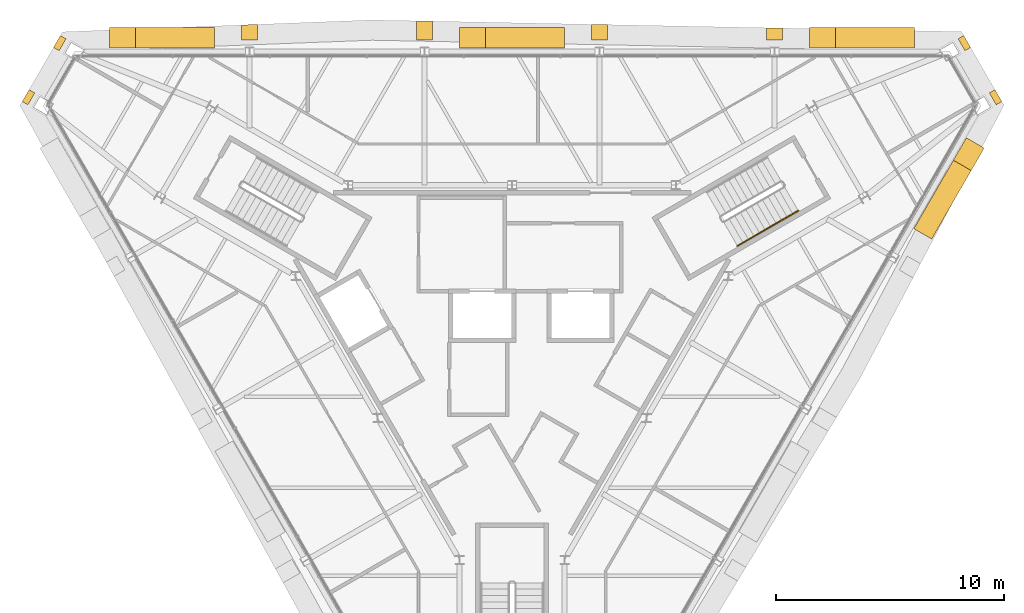
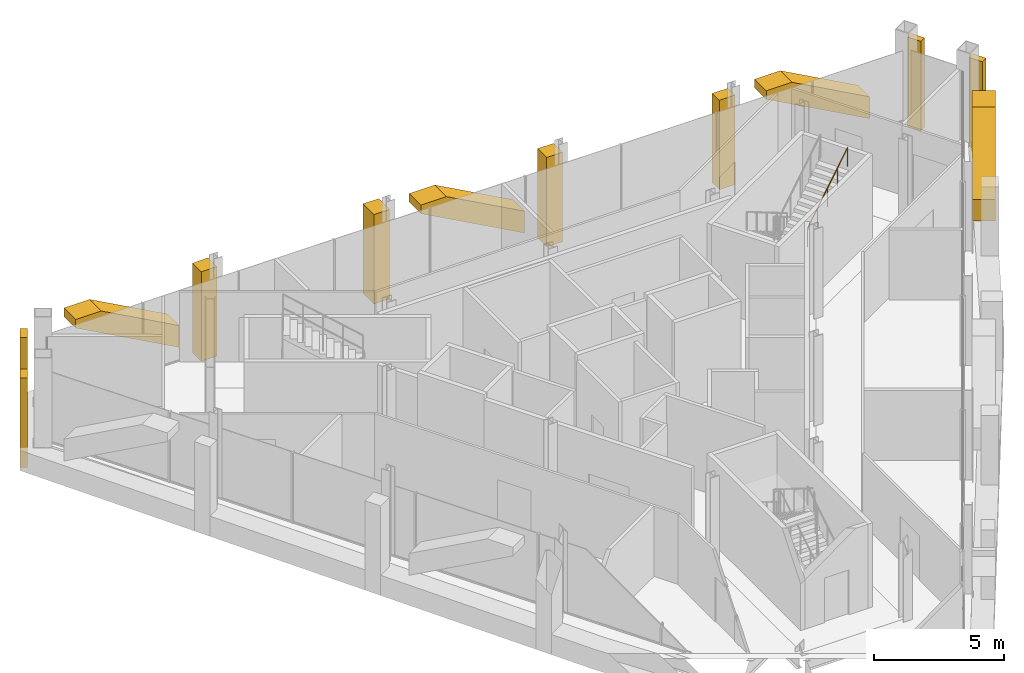
# One storey, part 13 of 13: 12 coverings, 1 railing.
"""IFC4 building model written with IfcOpenShell, lengths in metres."""

import ifcopenshell
import ifcopenshell.guid

model = None  # the IFC model being written
_history = None  # IfcOwnerHistory: only IFC2X3 demands one
_inside = {}  # id of a spatial element -> (the spatial element, [elements in it])
_under = {}  # id of a project, library or spatial element -> (it, [spatial elements below it])
_declared = {}  # id of a project -> (the project, [libraries it declares])
_typed = {}  # id of a type object -> (the type object, [elements of that type])
_made_of = {}  # id of a material, layer set ... -> (it, [elements and type objects made of it])


def new_model(schema):
    """Start an empty IFC model of exactly this schema.

    Asked for "IFC4X3", IfcOpenShell would pick the latest addendum, in which some entities
    have other attributes; the version numbers below select the first issue.
    IFC2X3 requires an IfcOwnerHistory on every rooted entity: one is made here for all.
    """
    global model, _history
    if schema == "IFC4X3":
        model = ifcopenshell.file(schema_version=(4, 3, 0, 0))
    else:
        model = ifcopenshell.file(schema=schema)
    _inside.clear()
    _under.clear()
    _declared.clear()
    _typed.clear()
    _made_of.clear()
    _history = None
    if model.schema == "IFC2X3":
        org = make("IfcOrganization", Name="unknown")
        user = make(
            "IfcPersonAndOrganization",
            ThePerson=make("IfcPerson", FamilyName="unknown"),
            TheOrganization=org,
        )
        app = make(
            "IfcApplication",
            ApplicationDeveloper=org,
            Version="unknown",
            ApplicationFullName="unknown",
            ApplicationIdentifier="unknown",
        )
        _history = make(
            "IfcOwnerHistory",
            OwningUser=user,
            OwningApplication=app,
            ChangeAction="ADDED",
            CreationDate=0,
        )
    return model


def make(cls, **values):
    """One entity of the class cls with the attributes given. An attribute that is None is left unset."""
    return model.create_entity(
        cls, **{name: value for name, value in values.items() if value is not None}
    )


def rooted(cls, **values):
    """An entity with a GlobalId (a new one), such as an element, a storey or a relation."""
    return make(cls, GlobalId=ifcopenshell.guid.new(), OwnerHistory=_history, **values)


def si_unit(unit_type, name, prefix=None):
    """IfcSIUnit, for example si_unit("LENGTHUNIT", "METRE", prefix="MILLI")."""
    return make("IfcSIUnit", UnitType=unit_type, Prefix=prefix, Name=name)


def assignment(units):
    """IfcUnitAssignment: the units of a project."""
    return None if units is None else make("IfcUnitAssignment", Units=units)


def point(xyz):
    """IfcCartesianPoint."""
    return None if xyz is None else make("IfcCartesianPoint", Coordinates=xyz)


def direction(xyz):
    """IfcDirection."""
    return None if xyz is None else make("IfcDirection", DirectionRatios=xyz)


def frame(location, z_axis=None, x_axis=None):
    """IfcAxis2Placement3D, a coordinate frame: its origin and axes. An axis left out is left unset."""
    return make(
        "IfcAxis2Placement3D",
        Location=point(location),
        Axis=direction(z_axis),
        RefDirection=direction(x_axis),
    )


def frame_2d(location, x_axis=None):
    """IfcAxis2Placement2D, a coordinate frame in the plane: its origin and x axis."""
    return make(
        "IfcAxis2Placement2D", Location=point(location), RefDirection=direction(x_axis)
    )


def origin():
    """The frame at (0, 0, 0) with its axes left unset."""
    return frame((0.0, 0.0, 0.0))


def origin_2d():
    """The frame at (0, 0) in the plane with its x axis left unset."""
    return frame_2d((0.0, 0.0))


def place(relative_to, where):
    """IfcLocalPlacement: puts the frame where relative to a parent placement (None: the world)."""
    return make(
        "IfcLocalPlacement", PlacementRelTo=relative_to, RelativePlacement=where
    )


def context(
    kind, dimensions, precision=None, world=None, true_north=None, identifier=None
):
    """IfcGeometricRepresentationContext, for example the 3D "Model" context."""
    return make(
        "IfcGeometricRepresentationContext",
        ContextIdentifier=identifier,
        ContextType=kind,
        CoordinateSpaceDimension=dimensions,
        Precision=precision,
        WorldCoordinateSystem=world,
        TrueNorth=true_north,
    )


def subcontext(parent, identifier, kind, view, scale=None):
    """IfcGeometricRepresentationSubContext, for example "Body" below "Model"."""
    return make(
        "IfcGeometricRepresentationSubContext",
        ContextIdentifier=identifier,
        ContextType=kind,
        ParentContext=parent,
        TargetScale=scale,
        TargetView=view,
    )


def project(units=None, contexts=None):
    """IfcProject with its units and contexts."""
    return rooted(
        "IfcProject",
        Name="project",
        RepresentationContexts=contexts,
        UnitsInContext=assignment(units),
    )


def spatial(cls, under=None, at=None, **own):
    """A site, building, storey or space (cls), placed at a placement, below another one or the project."""
    s = rooted(cls, ObjectPlacement=at, **own)
    if under is not None:
        _under.setdefault(under.id(), (under, []))[1].append(s)
    return s


def polyline(points):
    """IfcPolyline through the points."""
    return make("IfcPolyline", Points=[point(p) for p in points])


def profile(cls, at=None, kind="AREA", **sizes):
    """A parametric profile (cls). Its sizes go by their IFC names, for example OverallWidth=200.0."""
    return make(cls, ProfileType=kind, Position=at, **sizes)


def circle(**sizes):
    """IfcCircleProfileDef."""
    return profile("IfcCircleProfileDef", **sizes)


def outline(outer, holes=None, kind="AREA"):
    """IfcArbitraryClosedProfileDef: a profile drawn as a closed curve; with holes, ...WithVoids."""
    if holes is None:
        return make("IfcArbitraryClosedProfileDef", ProfileType=kind, OuterCurve=outer)
    return make(
        "IfcArbitraryProfileDefWithVoids",
        ProfileType=kind,
        OuterCurve=outer,
        InnerCurves=holes,
    )


def extrude(swept, where, along, depth):
    """IfcExtrudedAreaSolid: the profile swept, set in the frame where, extruded along a direction by depth."""
    return make(
        "IfcExtrudedAreaSolid",
        SweptArea=swept,
        Position=where,
        ExtrudedDirection=direction(along),
        Depth=depth,
    )


def shape(context_of_items, identifier, shape_type, items):
    """IfcShapeRepresentation: the items that make up one representation, for example the "Body"."""
    return make(
        "IfcShapeRepresentation",
        ContextOfItems=context_of_items,
        RepresentationIdentifier=identifier,
        RepresentationType=shape_type,
        Items=items,
    )


def material(Name=None, Category=None):
    """IfcMaterial."""
    return make("IfcMaterial", Name=Name, Category=Category)


def layer(
    of_material, thickness, ventilated=None, Name=None, Category=None, Priority=None
):
    """IfcMaterialLayer: one layer of a wall or slab, of a material (None: an air gap)."""
    return make(
        "IfcMaterialLayer",
        Material=of_material,
        LayerThickness=thickness,
        IsVentilated=ventilated,
        Name=Name,
        Category=Category,
        Priority=Priority,
    )


def layer_set(layers, Name=None):
    """IfcMaterialLayerSet."""
    return make("IfcMaterialLayerSet", MaterialLayers=layers, LayerSetName=Name)


def made_of(thing, what):
    """Note that an element or type object is made of a material, layer set ...; save() writes the relation."""
    if what is not None:
        _made_of.setdefault(what.id(), (what, []))[1].append(thing)
    return thing


def type_object(cls, material=None, **own):
    """A type object (cls), such as IfcWallType, which elements share."""
    return made_of(rooted(cls, **own), material)


def element(
    cls,
    number,
    at=None,
    inside=None,
    cuts=None,
    type_object=None,
    material=None,
    context=None,
    identifier="Body",
    shape_type=None,
    held_by="IfcProductDefinitionShape",
    body=None,
    shapes=None,
    **own,
):
    """One element of the class cls, such as IfcWall. Its Tag is "e" and its number.

    at: its placement. inside: the storey or other place that contains it. cuts: it is an
    opening in that element (IfcRelVoidsElement). A single representation is given by context,
    identifier, shape_type and body (its items); several are given by shapes. held_by: the class
    of the entity that holds the representations. save() writes the other relations.
    """
    e = rooted(cls, Tag="e%d" % number, ObjectPlacement=at, **own)
    if body is not None:
        shapes = [shape(context, identifier, shape_type, body)]
    if shapes is not None:
        e.Representation = make(held_by, Representations=shapes)
    if inside is not None:
        _inside.setdefault(inside.id(), (inside, []))[1].append(e)
    if cuts is not None:
        rooted(
            "IfcRelVoidsElement", RelatingBuildingElement=cuts, RelatedOpeningElement=e
        )
    if type_object is not None:
        _typed.setdefault(type_object.id(), (type_object, []))[1].append(e)
    return made_of(e, material)


def aggregate(whole, parts):
    """IfcRelAggregates: a whole, such as a stair, and the parts it consists of."""
    return rooted("IfcRelAggregates", RelatingObject=whole, RelatedObjects=parts)


def save(model, path):
    """Write the relations noted so far, then the file.

    IfcRelAggregates (storeys below a building ...), IfcRelContainedInSpatialStructure (elements
    in a storey), IfcRelDefinesByType, IfcRelAssociatesMaterial and IfcRelDeclares: one each for
    every whole, place, type object, material and project.
    """
    for whole, parts in _under.values():
        aggregate(whole, parts)
    for where, things in _inside.values():
        rooted(
            "IfcRelContainedInSpatialStructure",
            RelatedElements=things,
            RelatingStructure=where,
        )
    for kind, things in _typed.values():
        rooted("IfcRelDefinesByType", RelatedObjects=things, RelatingType=kind)
    for what, things in _made_of.values():
        rooted("IfcRelAssociatesMaterial", RelatedObjects=things, RelatingMaterial=what)
    for by, libraries in _declared.values():
        rooted("IfcRelDeclares", RelatingContext=by, RelatedDefinitions=libraries)
    model.write(path)


model = new_model("IFC4")

# Units and contexts
model_context = context("Model", 3, precision=1e-05, world=origin(), true_north=direction((0.0, 1.0)))
body_context = subcontext(model_context, "Body", "Model", "MODEL_VIEW")
ifc_project = project(units=[si_unit("LENGTHUNIT", "METRE"), si_unit("AREAUNIT", "SQUARE_METRE"), si_unit("VOLUMEUNIT", "CUBIC_METRE"), si_unit("PLANEANGLEUNIT", "RADIAN"), si_unit("MASSUNIT", "GRAM", prefix="KILO")], contexts=[model_context])

# Site, building, storey
site_placement = place(None, origin())
site = spatial("IfcSite", under=ifc_project, at=site_placement, CompositionType="ELEMENT")
building_placement = place(site_placement, origin())
building = spatial("IfcBuilding", under=site, at=building_placement, Name="Verrane Prism Tower", CompositionType="ELEMENT")
storey_placement = place(building_placement, frame((0.0, 0.0, 312.60009765625)))
storey = spatial("IfcBuildingStorey", under=building, at=storey_placement, Name="L79", CompositionType="ELEMENT", Elevation=312.60009765625)

# Railing
ifc_material_1 = material(Name="Steel A36 tube", Category="steel")
railing_type = type_object("IfcRailingType", Name="Stair handrail 900 steel tube", PredefinedType="HANDRAIL", material=ifc_material_1)
railing_placement = place(storey_placement, frame((9.872314453125, 4.140869140625, 2.27490234375)))
element("IfcRailing", 1, at=railing_placement, inside=storey, type_object=railing_type, Name="Stair 1 handrail", PredefinedType="HANDRAIL", context=body_context, shape_type="SweptSolid", body=[
    extrude(circle(Radius=0.02392578125, at=origin_2d()), frame((0.0, 0.0, 0.8759765625), z_axis=(0.734364028329, 0.424015404183, 0.530019255228), x_axis=(-0.500026652407, 0.866010015463, 0.0)), (0.0, 0.0, 1.0), 3.632080078125),
    extrude(circle(Radius=0.02099609375, at=origin_2d()), origin(), (0.0, 0.0, 1.0), 0.851806640625),
    extrude(circle(Radius=0.02099609375, at=origin_2d()), frame((0.666748046875, 0.385009765625, 0.481201171875)), (0.0, 0.0, 1.0), 0.851806640625),
    extrude(circle(Radius=0.02099609375, at=origin_2d()), frame((1.33349609375, 0.77001953125, 0.96240234375)), (0.0, 0.0, 1.0), 0.851806640625),
    extrude(circle(Radius=0.02099609375, at=origin_2d()), frame((2.00048828125, 1.155029296875, 1.44384765625)), (0.0, 0.0, 1.0), 0.851806640625),
    extrude(circle(Radius=0.02099609375, at=origin_2d()), frame((2.667236328125, 1.5400390625, 1.925048828125)), (0.0, 0.0, 1.0), 0.851806640625),
])

# Coverings
ifc_material_2 = material(Name="Warm limestone cladding", Category="masonry")
ifc_layer = layer(ifc_material_2, 0.89990234375)
ifc_layer_set = layer_set([ifc_layer], Name="Stone brace fin 900")
covering_type_1 = type_object("IfcCoveringType", Name="Stone brace fin 900", PredefinedType="CLADDING", material=ifc_layer_set)
for number, where, z_axis, x_axis, name in (
    (2, (17.638671875, 13.25, 0.326904296875), (0.0, 0.0, 1.0), (-1.0, 0.0, 0.0), "Stone brace fin N1 L79"),
    (3, (2.30078125, 13.25, 0.326904296875), (0.0, 0.0, 1.0), (-1.0, 0.0, 0.0), "Stone brace fin N3 L79"),
    (4, (-13.037109375, 13.25, 0.326904296875), (0.0, 0.0, 1.0), (-1.0, 0.0, 0.0), "Stone brace fin N5 L79"),
    (5, (17.993408203125, 4.66552734375, 0.326904296875), (0.0, 0.0, 1.0), (0.5000194552, 0.866014171028, 0.0), "Stone brace fin SE5 L79"),
):
    element("IfcCovering", number, at=place(storey_placement, frame(where, z_axis=z_axis, x_axis=x_axis)), inside=storey, type_object=covering_type_1, Name=name, PredefinedType="CLADDING", context=body_context, shape_type="SweptSolid", body=[
        extrude(outline(polyline([(4.601318359375, 2.923095703125), (3.463623046875, 2.923095703125), (0.0, 1.026123046875), (0.0, 0.0), (4.601318359375, 2.52001953125), (4.601318359375, 2.923095703125)])), frame((0.0, 0.449951171875, 0.0), z_axis=(0.0, -1.0, 0.0), x_axis=(1.0, 0.0, 0.0)), (0.0, 0.0, 1.0), 0.89990234375),
    ])
ifc_material_3 = material(Name="Warm limestone cladding", Category="masonry")
covering_type_2 = type_object("IfcCoveringType", Name="Stone corner pier 600", PredefinedType="CLADDING", material=ifc_material_3)
covering_1_placement = place(storey_placement, frame((0.0, 0.0, -0.9501953125)))
element("IfcCovering", 6, at=covering_1_placement, inside=storey, type_object=covering_type_2, Name="Stone pier MC-NE.a L79", PredefinedType="CLADDING", context=body_context, shape_type="SweptSolid", body=[
    extrude(outline(polyline([(20.910888671875, 10.838623046875), (21.06103515625, 10.578857421875), (21.2109375, 10.319091796875), (21.457763671875, 10.46142578125), (21.15771484375, 10.98095703125), (20.910888671875, 10.838623046875)])), origin(), (0.0, 0.0, 1.0), 4.2001953125),
])
covering_2_placement = place(storey_placement, frame((0.0, 0.0, -0.9501953125)))
element("IfcCovering", 7, at=covering_2_placement, inside=storey, type_object=covering_type_2, Name="Stone pier MC-NE.b L79", PredefinedType="CLADDING", context=body_context, shape_type="SweptSolid", body=[
    extrude(outline(polyline([(19.5419921875, 13.209716796875), (19.5576171875, 13.182861328125), (19.842041015625, 12.690185546875), (20.088623046875, 12.83251953125), (19.788818359375, 13.352294921875), (19.5419921875, 13.209716796875)])), origin(), (0.0, 0.0, 1.0), 4.2001953125),
])
covering_3_placement = place(storey_placement, frame((0.0, 0.0, -0.9501953125)))
element("IfcCovering", 8, at=covering_3_placement, inside=storey, type_object=covering_type_2, Name="Stone pier MC-NW.a L79", PredefinedType="CLADDING", context=body_context, shape_type="SweptSolid", body=[
    extrude(outline(polyline([(-19.842041015625, 12.690185546875), (-19.5419921875, 13.209716796875), (-19.788818359375, 13.352294921875), (-20.088623046875, 12.83251953125), (-19.842041015625, 12.690185546875)])), origin(), (0.0, 0.0, 1.0), 4.2001953125),
])
covering_4_placement = place(storey_placement, frame((0.0, 0.0, -0.9501953125)))
element("IfcCovering", 9, at=covering_4_placement, inside=storey, type_object=covering_type_2, Name="Stone pier MC-NW.b L79", PredefinedType="CLADDING", context=body_context, shape_type="SweptSolid", body=[
    extrude(outline(polyline([(-21.2109375, 10.319091796875), (-20.910888671875, 10.838623046875), (-21.15771484375, 10.98095703125), (-21.457763671875, 10.46142578125), (-21.2109375, 10.319091796875)])), origin(), (0.0, 0.0, 1.0), 4.2001953125),
])
ifc_material_4 = material(Name="Warm limestone cladding", Category="masonry")
covering_type_3 = type_object("IfcCoveringType", Name="Stone pier 700", PredefinedType="CLADDING", material=ifc_material_4)
covering_5_placement = place(storey_placement, frame((0.0, 0.0, -0.9501953125)))
element("IfcCovering", 10, at=covering_5_placement, inside=storey, type_object=covering_type_3, Name="Stone pier PC-N1 L79", PredefinedType="CLADDING", context=body_context, shape_type="SweptSolid", body=[
    extrude(outline(polyline([(11.1533203125, 13.14990234375), (11.853515625, 13.14990234375), (11.853515625, 13.6796875), (11.1533203125, 13.693359375), (11.1533203125, 13.14990234375)])), origin(), (0.0, 0.0, 1.0), 4.2001953125),
])
covering_6_placement = place(storey_placement, frame((0.0, 0.0, -0.9501953125)))
element("IfcCovering", 11, at=covering_6_placement, inside=storey, type_object=covering_type_3, Name="Stone pier PC-N2 L79", PredefinedType="CLADDING", context=body_context, shape_type="SweptSolid", body=[
    extrude(outline(polyline([(3.484619140625, 13.14990234375), (4.1845703125, 13.14990234375), (4.1845703125, 13.8310546875), (3.484619140625, 13.844970703125), (3.484619140625, 13.14990234375)])), origin(), (0.0, 0.0, 1.0), 4.2001953125),
])
covering_7_placement = place(storey_placement, frame((0.0, 0.0, -0.9501953125)))
element("IfcCovering", 12, at=covering_7_placement, inside=storey, type_object=covering_type_3, Name="Stone pier PC-N3 L79", PredefinedType="CLADDING", context=body_context, shape_type="SweptSolid", body=[
    extrude(outline(polyline([(-4.1845703125, 13.14990234375), (-3.484619140625, 13.14990234375), (-3.484619140625, 13.982666015625), (-4.1845703125, 13.996337890625), (-4.1845703125, 13.14990234375)])), origin(), (0.0, 0.0, 1.0), 4.2001953125),
])
covering_8_placement = place(storey_placement, frame((0.0, 0.0, -0.9501953125)))
element("IfcCovering", 13, at=covering_8_placement, inside=storey, type_object=covering_type_3, Name="Stone pier PC-N4 L79", PredefinedType="CLADDING", context=body_context, shape_type="SweptSolid", body=[
    extrude(outline(polyline([(-11.853515625, 13.14990234375), (-11.1533203125, 13.14990234375), (-11.1533203125, 13.843017578125), (-11.853515625, 13.816162109375), (-11.853515625, 13.14990234375)])), origin(), (0.0, 0.0, 1.0), 4.2001953125),
])

save(model, "model.ifc")
